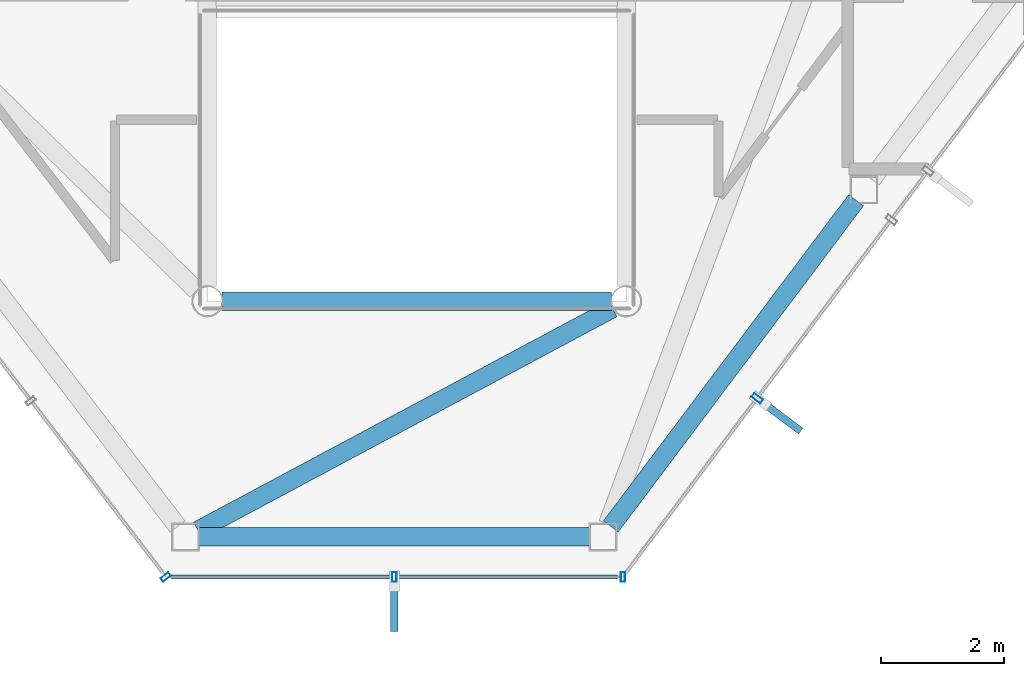
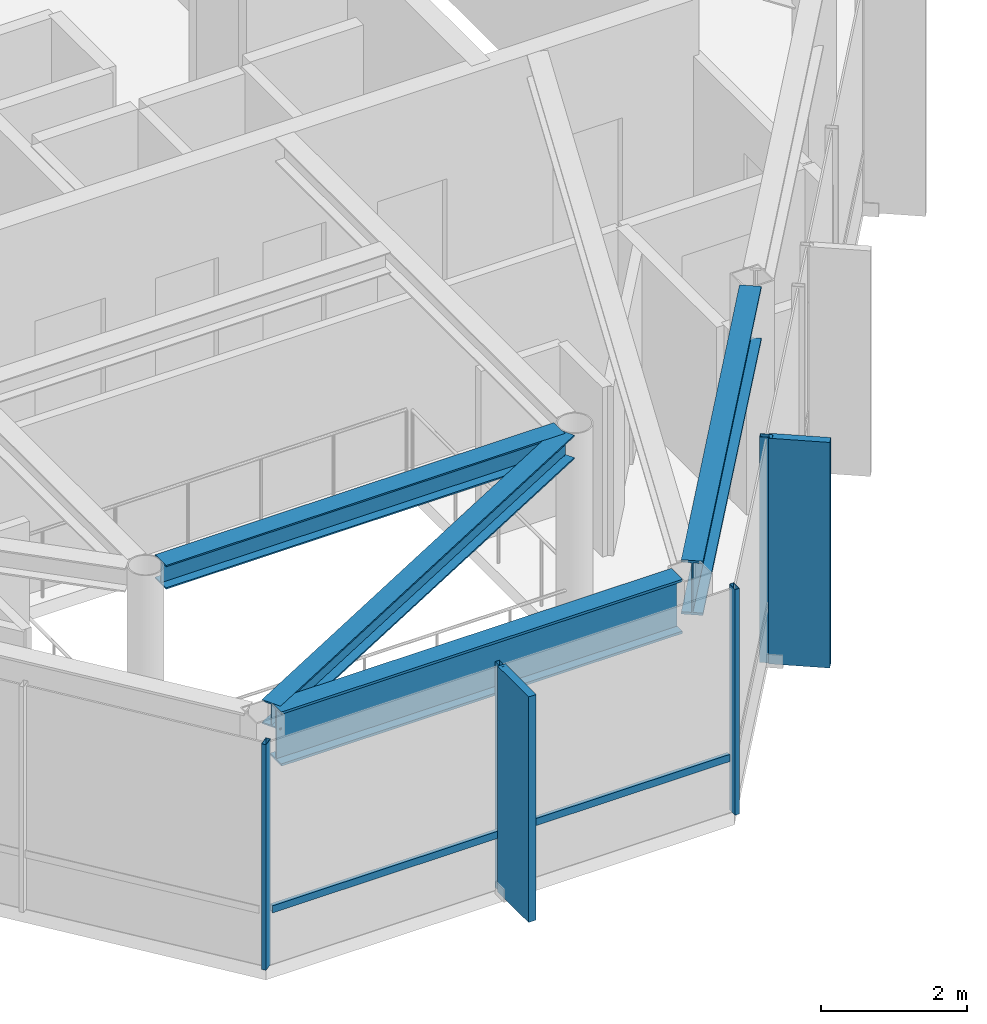
# One storey, part 5 of 21: 7 members, 4 beams, 3 elements without a shape of their own.
"""IFC4 building model written with IfcOpenShell, lengths in metres."""

from ifc_helpers import new_model, si_unit, direction, frame, origin, origin_2d, place, context, subcontext, project, spatial, rectangle, hollow_rectangle, i_section, extrude, material, layer, layer_set, material_profile, profile_set, type_object, element, aggregate, save


model = new_model("IFC4")

# Units and contexts
model_context = context("Model", 3, precision=1e-05, world=origin(), true_north=direction((0.0, 1.0)))
body_context = subcontext(model_context, "Body", "Model", "MODEL_VIEW")
ifc_project = project(units=[si_unit("LENGTHUNIT", "METRE"), si_unit("AREAUNIT", "SQUARE_METRE"), si_unit("VOLUMEUNIT", "CUBIC_METRE"), si_unit("PLANEANGLEUNIT", "RADIAN"), si_unit("MASSUNIT", "GRAM", prefix="KILO")], contexts=[model_context])

# Site, building, storey
site_placement = place(None, origin())
site = spatial("IfcSite", under=ifc_project, at=site_placement, CompositionType="ELEMENT")
building_placement = place(site_placement, origin())
building = spatial("IfcBuilding", under=site, at=building_placement, Name="Zarrinselat Tower", CompositionType="ELEMENT")
storey_placement = place(building_placement, frame((0.0, 0.0, 299.199951171875)))
storey = spatial("IfcBuildingStorey", under=building, at=storey_placement, Name="L77", CompositionType="ELEMENT", Elevation=299.199951171875)

# Beams
ifc_material_1 = material(Name="Steel S355J2", Category="steel")
ifc_material_profile_1 = material_profile(ifc_material_1, i_section(OverallWidth=0.300048828125, OverallDepth=0.39990234375, WebThickness=0.013427734375, FlangeThickness=0.02392578125, at=origin_2d()), Name="HEB 400")
ifc_profile_set_1 = profile_set([ifc_material_profile_1], Name="Steel S355J2")
beam_type_1 = type_object("IfcBeamType", Name="BM-HEB400", PredefinedType="BEAM", material=ifc_profile_set_1)
beam_1_placement = place(storey_placement, frame((35.239990234375, 25.199951171875, 3.580078125), z_axis=(1.0, 0.0, 0.0), x_axis=(0.0, 1.0, 0.0)))
element("IfcBeam", 1, at=beam_1_placement, inside=storey, type_object=beam_type_1, Name="L77 Atrium Edge Beam S", PredefinedType="BEAM", context=body_context, shape_type="SweptSolid", body=[
    extrude(i_section(OverallWidth=0.300048828125, OverallDepth=0.39990234375, WebThickness=0.013427734375, FlangeThickness=0.02392578125, at=origin_2d()), origin(), (0.0, 0.0, 1.0), 6.320068359375),
])
beam_2_placement = place(storey_placement, frame((34.844970703125, 21.48046875, 3.580078125), z_axis=(0.88182143271, 0.471583461132, 0.0), x_axis=(-0.471583461132, 0.88182143271, 0.0)))
element("IfcBeam", 2, at=beam_2_placement, inside=storey, type_object=beam_type_1, Name="L77 Radial Primary Girder RG10", PredefinedType="BEAM", context=body_context, shape_type="SweptSolid", body=[
    extrude(i_section(OverallWidth=0.300048828125, OverallDepth=0.39990234375, WebThickness=0.013427734375, FlangeThickness=0.02392578125, at=origin_2d()), origin(), (0.0, 0.0, 1.0), 7.63720703125),
])
ifc_material_2 = material(Name="Steel S460M", Category="steel")
ifc_material_profile_2 = material_profile(ifc_material_2, i_section(OverallWidth=0.302001953125, OverallDepth=0.909912109375, WebThickness=0.02099609375, FlangeThickness=0.0400390625, at=origin_2d()), Name="HEM 900")
ifc_profile_set_2 = profile_set([ifc_material_profile_2], Name="Steel S460M")
beam_type_2 = type_object("IfcBeamType", Name="BM-HEM900", PredefinedType="BEAM", material=ifc_profile_set_2)
beam_3_placement = place(storey_placement, frame((34.857666015625, 21.373291015625, 3.324951171875), z_axis=(1.0, 0.0, 0.0), x_axis=(0.0, 1.0, 0.0)))
element("IfcBeam", 3, at=beam_3_placement, inside=storey, type_object=beam_type_2, Name="L77 Perimeter Spandrel Girder SP10", PredefinedType="BEAM", context=body_context, shape_type="SweptSolid", body=[
    extrude(i_section(OverallWidth=0.302001953125, OverallDepth=0.909912109375, WebThickness=0.02099609375, FlangeThickness=0.0400390625, at=origin_2d()), origin(), (0.0, 0.0, 1.0), 6.35302734375),
])
beam_4_placement = place(storey_placement, frame((41.551513671875, 21.543701171875, 3.324951171875), z_axis=(0.600872084865, 0.799345193036, 0.0), x_axis=(-0.799345193036, 0.600872084865, 0.0)))
element("IfcBeam", 4, at=beam_4_placement, inside=storey, type_object=beam_type_2, Name="L77 Perimeter Spandrel Girder SP11", PredefinedType="BEAM", context=body_context, shape_type="SweptSolid", body=[
    extrude(i_section(OverallWidth=0.302001953125, OverallDepth=0.909912109375, WebThickness=0.02099609375, FlangeThickness=0.0400390625, at=origin_2d()), origin(), (0.0, 0.0, 1.0), 6.62646484375),
])

# Curtain wall, member
ifc_material_3 = material(Name="Extruded Aluminium Alloy EN AW-6063 T6", Category="aluminium")
ifc_layer_1 = layer(ifc_material_3, 0.199951171875)
ifc_layer_set_1 = layer_set([ifc_layer_1], Name="Extruded Aluminium Alloy EN AW-6063 T6")
curtain_wall_type_1 = type_object("IfcCurtainWallType", Name="CWS-BLADE", PredefinedType="NOTDEFINED", material=ifc_layer_set_1)
curtain_wall_1_placement = place(storey_placement, origin())
curtain_wall_1 = element("IfcCurtainWall", 5, at=curtain_wall_1_placement, inside=storey, type_object=curtain_wall_type_1, Name="L77 Unitised Curtain Wall CW-L77-E05", PredefinedType="NOTDEFINED")
ifc_material_4 = material(Name="Extruded Aluminium Alloy EN AW-6063 T6", Category="aluminium")
ifc_material_profile_3 = material_profile(ifc_material_4, hollow_rectangle(XDim=0.080078125, YDim=0.179931640625, WallThickness=0.0048828125, at=origin_2d()), Name="RHS 180x80x5")
ifc_profile_set_3 = profile_set([ifc_material_profile_3], Name="Extruded Aluminium Alloy EN AW-6063 T6")
member_type_1 = type_object("IfcMemberType", Name="MEM-CW-MUL", PredefinedType="MULLION", material=ifc_profile_set_3)
member_1_placement = place(storey_placement, frame((43.928466796875, 23.623779296875, 0.0), z_axis=(0.0, 0.0, 1.0), x_axis=(0.600848494465, 0.799362925522, 0.0)))
member_1 = element("IfcMember", 6, at=member_1_placement, type_object=member_type_1, Name="CW-L77-E05 Mullion 1", PredefinedType="MULLION", context=body_context, shape_type="SweptSolid", body=[
    extrude(hollow_rectangle(XDim=0.080078125, YDim=0.179931640625, WallThickness=0.0048828125, at=origin_2d()), origin(), (0.0, 0.0, 1.0), 3.780029296875),
])

ifc_material_5 = material(Name="Extruded Aluminium Alloy EN AW-6063 T6", Category="aluminium")
ifc_layer_2 = layer(ifc_material_5, 0.169921875)
ifc_layer_set_2 = layer_set([ifc_layer_2], Name="Extruded Aluminium Alloy EN AW-6063 T6")
curtain_wall_type_2 = type_object("IfcCurtainWallType", Name="CWS-RES", PredefinedType="NOTDEFINED", material=ifc_layer_set_2)
curtain_wall_2_placement = place(storey_placement, origin())
curtain_wall_2 = element("IfcCurtainWall", 7, at=curtain_wall_2_placement, inside=storey, type_object=curtain_wall_type_2, Name="L77 Unitised Curtain Wall CW-L77-E03", PredefinedType="NOTDEFINED")
ifc_material_6 = material(Name="Extruded Aluminium Alloy EN AW-6063 T6", Category="aluminium")
ifc_material_profile_4 = material_profile(ifc_material_6, hollow_rectangle(XDim=0.070068359375, YDim=0.159912109375, WallThickness=0.00390625, at=origin_2d()), Name="RHS 160x70x4")
ifc_profile_set_4 = profile_set([ifc_material_profile_4], Name="Extruded Aluminium Alloy EN AW-6063 T6")
member_type_2 = type_object("IfcMemberType", Name="MEM-CW-MUL2", PredefinedType="MULLION", material=ifc_profile_set_4)
member_2_placement = place(storey_placement, frame((34.32373046875, 20.723388671875, 0.0), z_axis=(0.0, 0.0, 1.0), x_axis=(0.607898371255, -0.794014842572, 0.0)))
member_2 = element("IfcMember", 8, at=member_2_placement, type_object=member_type_2, Name="CW-L77-E03 Mullion 9", PredefinedType="MULLION", context=body_context, shape_type="SweptSolid", body=[
    extrude(hollow_rectangle(XDim=0.070068359375, YDim=0.159912109375, WallThickness=0.00390625, at=origin_2d()), origin(), (0.0, 0.0, 1.0), 3.780029296875),
])
aggregate(curtain_wall_2, [member_2])

# Curtain wall, members
curtain_wall_3_placement = place(storey_placement, origin())
curtain_wall_3 = element("IfcCurtainWall", 9, at=curtain_wall_3_placement, inside=storey, type_object=curtain_wall_type_2, Name="L77 Unitised Curtain Wall CW-L77-E04", PredefinedType="NOTDEFINED")
member_3_placement = place(storey_placement, frame((38.035888671875, 20.723388671875, 0.0), z_axis=(0.0, 0.0, 1.0), x_axis=(1.0, 0.0, 0.0)))
member_3 = element("IfcMember", 10, at=member_3_placement, type_object=member_type_2, Name="CW-L77-E04 Mullion 1", PredefinedType="MULLION", context=body_context, shape_type="SweptSolid", body=[
    extrude(hollow_rectangle(XDim=0.070068359375, YDim=0.159912109375, WallThickness=0.00390625, at=origin_2d()), origin(), (0.0, 0.0, 1.0), 3.780029296875),
])
member_4_placement = place(storey_placement, frame((41.748291015625, 20.723388671875, 0.0), z_axis=(0.0, 0.0, 1.0), x_axis=(1.0, 0.0, 0.0)))
member_4 = element("IfcMember", 11, at=member_4_placement, type_object=member_type_2, Name="CW-L77-E04 Mullion 2", PredefinedType="MULLION", context=body_context, shape_type="SweptSolid", body=[
    extrude(hollow_rectangle(XDim=0.070068359375, YDim=0.159912109375, WallThickness=0.00390625, at=origin_2d()), origin(), (0.0, 0.0, 1.0), 3.780029296875),
])
ifc_material_7 = material(Name="Extruded Aluminium Alloy EN AW-6063 T6", Category="aluminium")
ifc_material_profile_5 = material_profile(ifc_material_7, hollow_rectangle(XDim=0.06005859375, YDim=0.1201171875, WallThickness=0.00390625, at=origin_2d()), Name="RHS 120x60x4")
ifc_profile_set_5 = profile_set([ifc_material_profile_5], Name="Extruded Aluminium Alloy EN AW-6063 T6")
member_type_3 = type_object("IfcMemberType", Name="MEM-CW-TRN2", PredefinedType="USERDEFINED", material=ifc_profile_set_5)
member_5_placement = place(storey_placement, frame((34.413818359375, 20.723388671875, 0.949951171875), z_axis=(1.0, 0.0, 0.0), x_axis=(0.0, 1.0, 0.0)))
member_5 = element("IfcMember", 12, at=member_5_placement, type_object=member_type_3, Name="CW-L77-E04 Transom 1", ObjectType="TRANSOM", PredefinedType="USERDEFINED", context=body_context, shape_type="SweptSolid", body=[
    extrude(hollow_rectangle(XDim=0.06005859375, YDim=0.1201171875, WallThickness=0.00390625, at=origin_2d()), origin(), (0.0, 0.0, 1.0), 7.244384765625),
])
ifc_material_8 = material(Name="Honed Cream Travertine Stone", Category="masonry")
ifc_material_profile_6 = material_profile(ifc_material_8, rectangle(XDim=0.1201171875, YDim=0.85009765625, at=origin_2d()), Name="FIN 850x120")
ifc_profile_set_6 = profile_set([ifc_material_profile_6], Name="Honed Cream Travertine Stone")
member_type_4 = type_object("IfcMemberType", Name="MEM-STONE-FIN", PredefinedType="USERDEFINED", material=ifc_profile_set_6)
member_6_placement = place(storey_placement, frame((38.035888671875, 20.26318359375, 0.0), z_axis=(0.0, 0.0, 1.0), x_axis=(-1.0, 0.0, 0.0)))
member_6 = element("IfcMember", 13, at=member_6_placement, type_object=member_type_4, Name="L77 Stone Shading Fin CW-L77-E04-01", ObjectType="FIN", PredefinedType="USERDEFINED", context=body_context, shape_type="SweptSolid", body=[
    extrude(rectangle(XDim=0.1201171875, YDim=0.85009765625, at=origin_2d()), origin(), (0.0, 0.0, 1.0), 3.780029296875),
])
aggregate(curtain_wall_3, [member_3, member_6, member_4, member_5])

# Member
member_7_placement = place(storey_placement, frame((44.296142578125, 23.347412109375, 0.0), z_axis=(0.0, 0.0, 1.0), x_axis=(-0.600848494465, -0.799362925522, 0.0)))
member_7 = element("IfcMember", 14, at=member_7_placement, type_object=member_type_4, Name="L77 Stone Shading Fin CW-L77-E05-01", ObjectType="FIN", PredefinedType="USERDEFINED", context=body_context, shape_type="SweptSolid", body=[
    extrude(rectangle(XDim=0.1201171875, YDim=0.85009765625, at=origin_2d()), origin(), (0.0, 0.0, 1.0), 3.780029296875),
])

aggregate(curtain_wall_1, [member_1, member_7])

save(model, "model.ifc")
